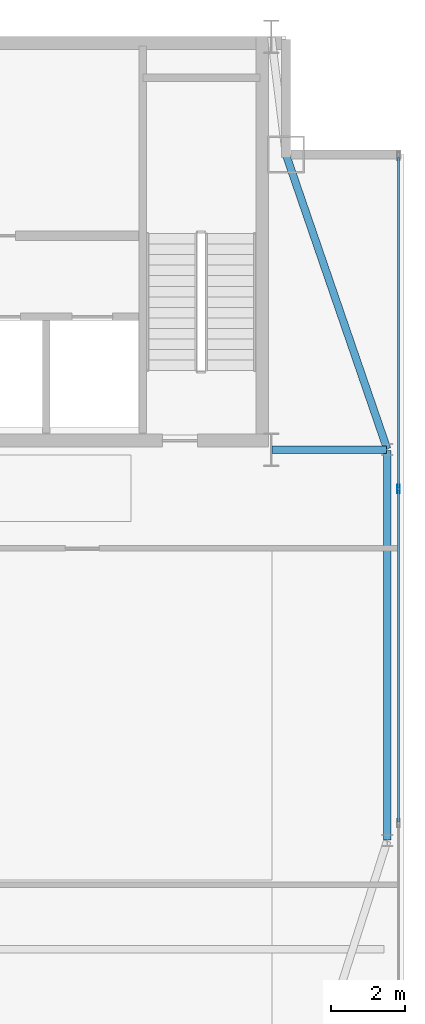
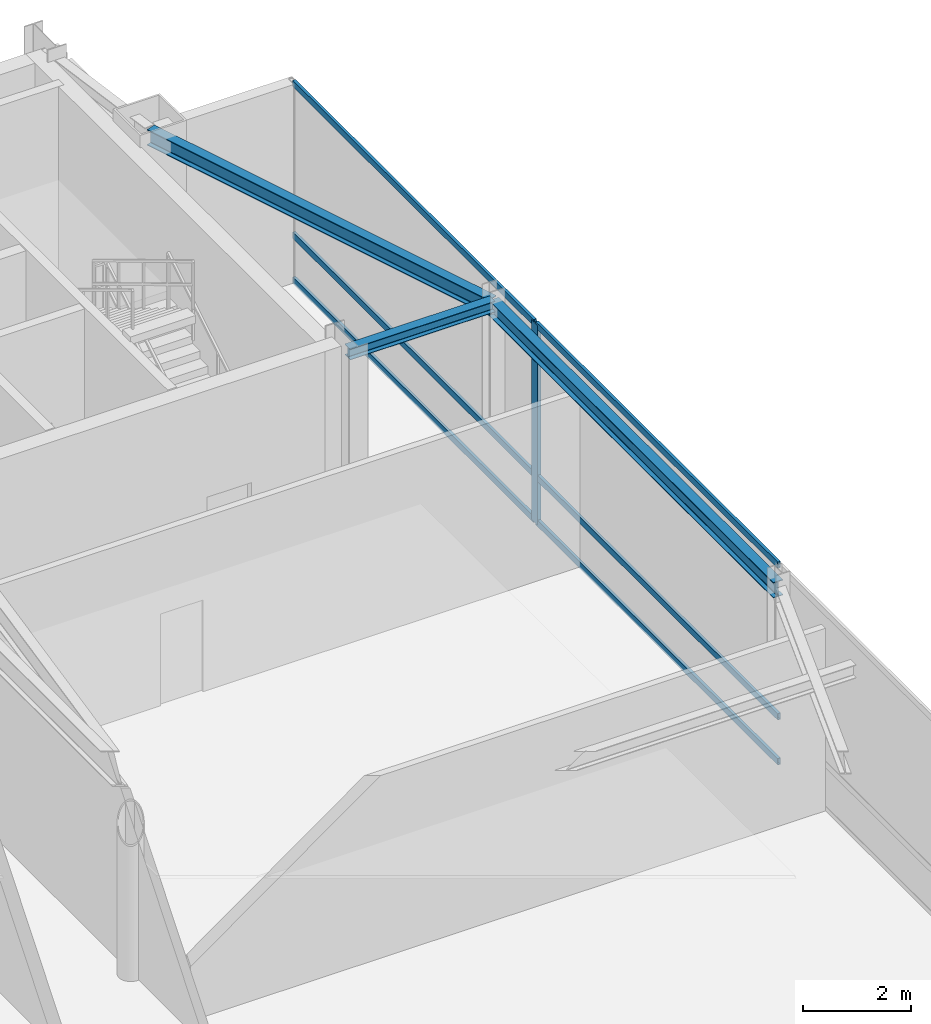
# One storey, part 14 of 22: 7 members, 3 beams, 1 element without a shape of its own.
"""IFC4 building model written with IfcOpenShell, lengths in metres."""

from ifc_helpers import new_model, si_unit, direction, frame, origin, origin_2d, place, context, subcontext, project, spatial, hollow_rectangle, i_section, extrude, source, transform, mapped, material, layer, layer_set, material_profile, profile_set, type_object, type_shapes, element, aggregate, save


model = new_model("IFC4")

# Units and contexts
model_context = context("Model", 3, precision=1e-05, world=origin(), true_north=direction((0.0, 1.0)))
body_context = subcontext(model_context, "Body", "Model", "MODEL_VIEW")
ifc_project = project(units=[si_unit("LENGTHUNIT", "METRE"), si_unit("AREAUNIT", "SQUARE_METRE"), si_unit("VOLUMEUNIT", "CUBIC_METRE"), si_unit("PLANEANGLEUNIT", "RADIAN"), si_unit("MASSUNIT", "GRAM", prefix="KILO")], contexts=[model_context])

# Site, building, storey
site_placement = place(None, origin())
site = spatial("IfcSite", under=ifc_project, at=site_placement, CompositionType="ELEMENT")
building_placement = place(site_placement, origin())
building = spatial("IfcBuilding", under=site, at=building_placement, Name="Varnel Quay Broadcast Tower", CompositionType="ELEMENT")
storey_placement = place(building_placement, frame((0.0, 0.0, 305.0)))
storey = spatial("IfcBuildingStorey", under=building, at=storey_placement, Name="L76", CompositionType="ELEMENT", Elevation=305.0)

# Beams
ifc_material_1 = material(Name="Structural Steel CSA G40.21 350W", Category="steel")
ifc_material_profile_1 = material_profile(ifc_material_1, i_section(OverallWidth=0.205078125, OverallDepth=0.35400390625, WebThickness=0.009521484375, FlangeThickness=0.016845703125, FilletRadius=0.012939453125, at=origin_2d()), Name="W360X79")
ifc_profile_set_1 = profile_set([ifc_material_profile_1], Name="Structural Steel CSA G40.21 350W")
beam_type_1 = type_object("IfcBeamType", Name="Beam_W360X79", PredefinedType="SPANDREL", material=ifc_profile_set_1)
shared_shape_1 = source(origin(), body_context, "Body", "SweptSolid", [
    extrude(i_section(OverallWidth=0.205078125, OverallDepth=0.35400390625, WebThickness=0.009521484375, FlangeThickness=0.016845703125, FilletRadius=0.012939453125, at=origin_2d()), origin(), (0.0, 0.0, 1.0), 10.56005859375),
])
beam_1_placement = place(storey_placement, frame((55.550048828125, 25.02001953125, 4.343017578125), z_axis=(0.0, 1.0, 0.0), x_axis=(-1.0, 0.0, 0.0)))
element("IfcBeam", 1, at=beam_1_placement, inside=storey, type_object=beam_type_1, Name="L76 East Spandrel TC-E1-TC-E2", PredefinedType="SPANDREL", context=body_context, shape_type="MappedRepresentation", body=[
    mapped(shared_shape_1, transform((0.0, 0.0, 0.0), x_axis=(1.0, 0.0, 0.0), y_axis=(0.0, 1.0, 0.0), z_axis=(0.0, 0.0, 1.0), scale=1.0)),
])
shared_shape_2 = source(origin(), body_context, "Body", "SweptSolid", [
    extrude(i_section(OverallWidth=0.205078125, OverallDepth=0.35400390625, WebThickness=0.009521484375, FlangeThickness=0.016845703125, FilletRadius=0.012939453125, at=origin_2d()), origin(), (0.0, 0.0, 1.0), 8.41943359375),
])
type_shapes(beam_type_1, [shared_shape_1, shared_shape_2])
beam_2_placement = place(storey_placement, frame((55.54345703125, 35.618896484375, 4.343017578125), z_axis=(-0.325087062108, 0.945684092099, 0.0), x_axis=(-0.945684092099, -0.325087062108, 0.0)))
element("IfcBeam", 2, at=beam_2_placement, inside=storey, type_object=beam_type_1, Name="L76 East Spandrel TC-E2-MC-NE", PredefinedType="SPANDREL", context=body_context, shape_type="MappedRepresentation", body=[
    mapped(shared_shape_2, transform((0.0, 0.0, 0.0), x_axis=(1.0, 0.0, 0.0), y_axis=(0.0, 1.0, 0.0), z_axis=(0.0, 0.0, 1.0), scale=1.0)),
])
ifc_material_profile_2 = material_profile(ifc_material_1, i_section(OverallWidth=0.201904296875, OverallDepth=0.2470703125, WebThickness=0.00732421875, FlangeThickness=0.010986328125, FilletRadius=0.010986328125, at=origin_2d()), Name="W250X49")
ifc_profile_set_2 = profile_set([ifc_material_profile_2], Name="Structural Steel CSA G40.21 350W")
beam_type_2 = type_object("IfcBeamType", Name="Beam_W250X49", PredefinedType="JOIST", material=ifc_profile_set_2)
shared_shape_3 = source(origin(), body_context, "Body", "SweptSolid", [
    extrude(i_section(OverallWidth=0.201904296875, OverallDepth=0.2470703125, WebThickness=0.00732421875, FlangeThickness=0.010986328125, FilletRadius=0.010986328125, at=origin_2d()), origin(), (0.0, 0.0, 1.0), 3.110107421875),
])
type_shapes(beam_type_2, [shared_shape_3])
beam_3_placement = place(storey_placement, frame((52.419921875, 35.60009765625, 4.396484375), z_axis=(1.0, 0.0, 0.0), x_axis=(0.0, 1.0, 0.0)))
element("IfcBeam", 3, at=beam_3_placement, inside=storey, type_object=beam_type_2, Name="L76 East Core Tie Joist", PredefinedType="JOIST", context=body_context, shape_type="MappedRepresentation", body=[
    mapped(shared_shape_3, transform((0.0, 0.0, 0.0), x_axis=(1.0, 0.0, 0.0), y_axis=(0.0, 1.0, 0.0), z_axis=(0.0, 0.0, 1.0), scale=1.0)),
])

# Curtain wall, members
ifc_material_2 = material(Name="Anodised Bronze Aluminium 6063-T6", Category="aluminium")
ifc_layer = layer(ifc_material_2, 0.18994140625, Name="Anodised Bronze Aluminium 6063-T6")
ifc_layer_set = layer_set([ifc_layer], Name="Anodised Bronze Aluminium 6063-T6")
curtain_wall_type = type_object("IfcCurtainWallType", Name="CW_SkyObsHighVis", PredefinedType="NOTDEFINED", material=ifc_layer_set)
curtain_wall_placement = place(storey_placement, origin())
curtain_wall = element("IfcCurtainWall", 4, at=curtain_wall_placement, inside=storey, type_object=curtain_wall_type, Name="L76 East Unitised Curtain Wall", PredefinedType="NOTDEFINED")
ifc_material_profile_3 = material_profile(ifc_material_2, hollow_rectangle(XDim=0.074951171875, YDim=0.219970703125, WallThickness=0.00390625, at=origin_2d()), Name="ALU75X220X4")
ifc_profile_set_3 = profile_set([ifc_material_profile_3], Name="Anodised Bronze Aluminium 6063-T6")
member_type_1 = type_object("IfcMemberType", Name="Mull_CWS-05", PredefinedType="MULLION", material=ifc_profile_set_3)
shared_shape_4 = source(origin(), body_context, "Body", "SweptSolid", [
    extrude(hollow_rectangle(XDim=0.074951171875, YDim=0.219970703125, WallThickness=0.00390625, at=origin_2d()), origin(), (0.0, 0.0, 1.0), 4.52001953125),
])
type_shapes(member_type_1, [shared_shape_4])
member_1_placement = place(storey_placement, frame((55.85009765625, 34.533447265625, 0.0), z_axis=(0.0, 0.0, 1.0), x_axis=(-1.0, 0.0, 0.0)))
member_1 = element("IfcMember", 5, at=member_1_placement, type_object=member_type_1, Name="CWS-05 mullion 3", PredefinedType="MULLION", context=body_context, shape_type="MappedRepresentation", body=[
    mapped(shared_shape_4, transform((0.0, 0.0, 0.0), x_axis=(1.0, 0.0, 0.0), y_axis=(0.0, 1.0, 0.0), z_axis=(0.0, 0.0, 1.0), scale=1.0)),
])
ifc_material_profile_4 = material_profile(ifc_material_2, hollow_rectangle(XDim=0.06005859375, YDim=0.14501953125, WallThickness=0.00341796875, at=origin_2d()), Name="ALU60X145X3.5")
ifc_profile_set_4 = profile_set([ifc_material_profile_4], Name="Anodised Bronze Aluminium 6063-T6")
member_type_2 = type_object("IfcMemberType", Name="Tran_CWS-05", PredefinedType="USERDEFINED", material=ifc_profile_set_4)
shared_shape_5 = source(origin(), body_context, "Body", "SweptSolid", [
    extrude(hollow_rectangle(XDim=0.06005859375, YDim=0.14501953125, WallThickness=0.00341796875, at=origin_2d()), origin(), (0.0, 0.0, 1.0), 8.9541015625),
])
member_2_placement = place(storey_placement, frame((55.85009765625, 34.57080078125, 0.030029296875), z_axis=(0.0, 1.0, 0.0), x_axis=(-1.0, 0.0, 0.0)))
member_2 = element("IfcMember", 6, at=member_2_placement, type_object=member_type_2, Name="CWS-05 transom 3.1", ObjectType="TRANSOM", PredefinedType="USERDEFINED", context=body_context, shape_type="MappedRepresentation", body=[
    mapped(shared_shape_5, transform((0.0, 0.0, 0.0), x_axis=(1.0, 0.0, 0.0), y_axis=(0.0, 1.0, 0.0), z_axis=(0.0, 0.0, 1.0), scale=1.0)),
])
member_3_placement = place(storey_placement, frame((55.85009765625, 34.57080078125, 1.050048828125), z_axis=(0.0, 1.0, 0.0), x_axis=(-1.0, 0.0, 0.0)))
member_3 = element("IfcMember", 7, at=member_3_placement, type_object=member_type_2, Name="CWS-05 transom 3.2", ObjectType="TRANSOM", PredefinedType="USERDEFINED", context=body_context, shape_type="MappedRepresentation", body=[
    mapped(shared_shape_5, transform((0.0, 0.0, 0.0), x_axis=(1.0, 0.0, 0.0), y_axis=(0.0, 1.0, 0.0), z_axis=(0.0, 0.0, 1.0), scale=1.0)),
])
member_4_placement = place(storey_placement, frame((55.85009765625, 34.57080078125, 4.489990234375), z_axis=(0.0, 1.0, 0.0), x_axis=(-1.0, 0.0, 0.0)))
member_4 = element("IfcMember", 8, at=member_4_placement, type_object=member_type_2, Name="CWS-05 transom 3.3", ObjectType="TRANSOM", PredefinedType="USERDEFINED", context=body_context, shape_type="MappedRepresentation", body=[
    mapped(shared_shape_5, transform((0.0, 0.0, 0.0), x_axis=(1.0, 0.0, 0.0), y_axis=(0.0, 1.0, 0.0), z_axis=(0.0, 0.0, 1.0), scale=1.0)),
])
shared_shape_6 = source(origin(), body_context, "Body", "SweptSolid", [
    extrude(hollow_rectangle(XDim=0.06005859375, YDim=0.14501953125, WallThickness=0.00341796875, at=origin_2d()), origin(), (0.0, 0.0, 1.0), 8.99169921875),
])
type_shapes(member_type_2, [shared_shape_5, shared_shape_6])
member_5_placement = place(storey_placement, frame((55.85009765625, 25.504150390625, 0.030029296875), z_axis=(0.0, 1.0, 0.0), x_axis=(-1.0, 0.0, 0.0)))
member_5 = element("IfcMember", 9, at=member_5_placement, type_object=member_type_2, Name="CWS-05 transom 2.1", ObjectType="TRANSOM", PredefinedType="USERDEFINED", context=body_context, shape_type="MappedRepresentation", body=[
    mapped(shared_shape_6, transform((0.0, 0.0, 0.0), x_axis=(1.0, 0.0, 0.0), y_axis=(0.0, 1.0, 0.0), z_axis=(0.0, 0.0, 1.0), scale=1.0)),
])
member_6_placement = place(storey_placement, frame((55.85009765625, 25.504150390625, 1.050048828125), z_axis=(0.0, 1.0, 0.0), x_axis=(-1.0, 0.0, 0.0)))
member_6 = element("IfcMember", 10, at=member_6_placement, type_object=member_type_2, Name="CWS-05 transom 2.2", ObjectType="TRANSOM", PredefinedType="USERDEFINED", context=body_context, shape_type="MappedRepresentation", body=[
    mapped(shared_shape_6, transform((0.0, 0.0, 0.0), x_axis=(1.0, 0.0, 0.0), y_axis=(0.0, 1.0, 0.0), z_axis=(0.0, 0.0, 1.0), scale=1.0)),
])
member_7_placement = place(storey_placement, frame((55.85009765625, 25.504150390625, 4.489990234375), z_axis=(0.0, 1.0, 0.0), x_axis=(-1.0, 0.0, 0.0)))
member_7 = element("IfcMember", 11, at=member_7_placement, type_object=member_type_2, Name="CWS-05 transom 2.3", ObjectType="TRANSOM", PredefinedType="USERDEFINED", context=body_context, shape_type="MappedRepresentation", body=[
    mapped(shared_shape_6, transform((0.0, 0.0, 0.0), x_axis=(1.0, 0.0, 0.0), y_axis=(0.0, 1.0, 0.0), z_axis=(0.0, 0.0, 1.0), scale=1.0)),
])
aggregate(curtain_wall, [member_1, member_5, member_6, member_7, member_2, member_3, member_4])

save(model, "model.ifc")
